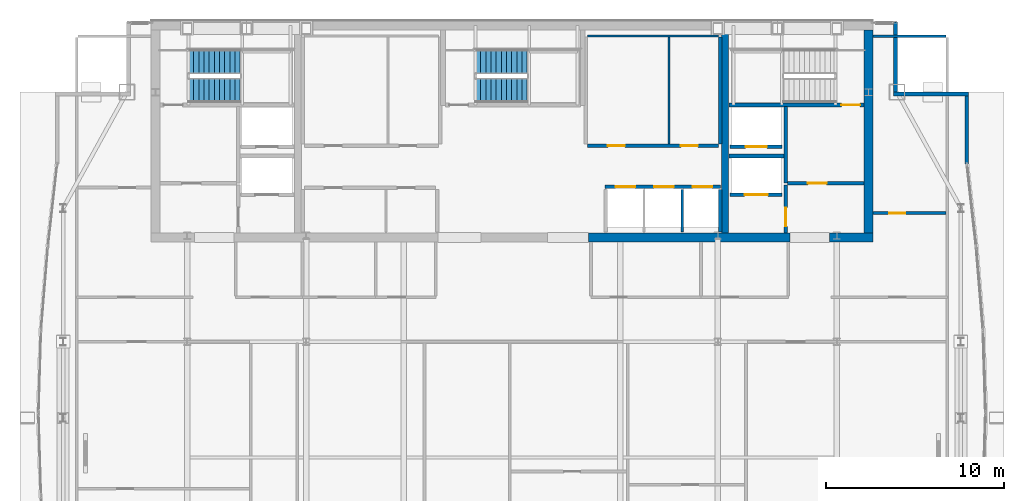
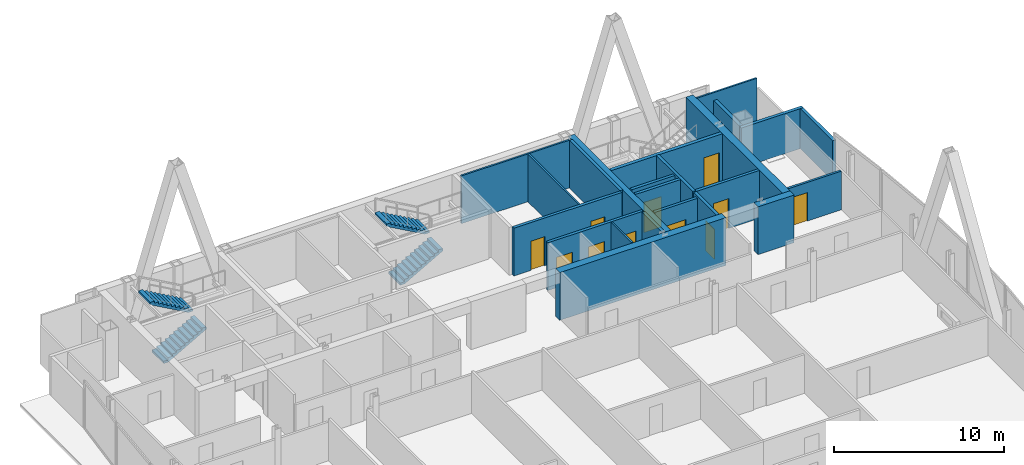
# One storey, part 25 of 28: 23 walls, 11 doors, 4 stair flights, 11 openings, 2 elements without a shape of their own.
"""IFC4 building model written with IfcOpenShell, lengths in metres."""

from ifc_helpers import new_model, si_unit, direction, frame, frame_2d, origin, place, context, subcontext, project, spatial, polyline, rectangle, outline, extrude, material, layer, layer_set, type_object, element, fill, aggregate, save


model = new_model("IFC4")

# Units and contexts
model_context = context("Model", 3, precision=1e-05, world=origin(), true_north=direction((0.0, 1.0)))
body_context = subcontext(model_context, "Body", "Model", "MODEL_VIEW")
ifc_project = project(units=[si_unit("LENGTHUNIT", "METRE"), si_unit("AREAUNIT", "SQUARE_METRE"), si_unit("VOLUMEUNIT", "CUBIC_METRE"), si_unit("PLANEANGLEUNIT", "RADIAN"), si_unit("MASSUNIT", "GRAM", prefix="KILO")], contexts=[model_context])

# Site, building, storey
site_placement = place(None, origin())
site = spatial("IfcSite", under=ifc_project, at=site_placement, CompositionType="ELEMENT")
building_placement = place(site_placement, origin())
building = spatial("IfcBuilding", under=site, at=building_placement, Name="Khoronbel Lancet Exchange", CompositionType="ELEMENT")
storey_placement = place(building_placement, frame((0.0, 0.0, 291.39990234375)))
storey = spatial("IfcBuildingStorey", under=building, at=storey_placement, Name="L75", CompositionType="ELEMENT", Elevation=291.39990234375)

# Walls
ifc_material_1 = material(Name="Concrete C60/75", Category="concrete")
ifc_layer_1 = layer(ifc_material_1, 0.5, Name="Concrete C60/75")
ifc_layer_set_1 = layer_set([ifc_layer_1], Name="Concrete C60/75")
wall_type_1 = type_object("IfcWallType", Name="WL-CW4", PredefinedType="SHEAR", material=ifc_layer_set_1)
wall_1_placement = place(storey_placement, frame((56.449951171875, 53.199951171875, 0.0), z_axis=(0.0, 0.0, 1.0), x_axis=(0.0, -1.0, 0.0)))
element("IfcWall", 1, at=wall_1_placement, inside=storey, type_object=wall_type_1, Name="Level L75 rear core east shear wall", PredefinedType="SHEAR", context=body_context, shape_type="SweptSolid", body=[
    extrude(rectangle(XDim=11.39990234375, YDim=0.5, at=frame_2d((5.699951171875, 0.0))), origin(), (0.0, 0.0, 1.0), 3.440185546875),
])
wall_2_placement = place(storey_placement, frame((52.050048828125, 41.550048828125, 0.0), z_axis=(0.0, 0.0, 1.0), x_axis=(-1.0, 0.0, 0.0)))
element("IfcWall", 2, at=wall_2_placement, inside=storey, type_object=wall_type_1, Name="Level L75 rear core south shear wall pier P4", PredefinedType="SHEAR", context=body_context, shape_type="SweptSolid", body=[
    extrude(rectangle(XDim=11.300048828125, YDim=0.5, at=frame_2d((5.64990234375, 0.0))), origin(), (0.0, 0.0, 1.0), 3.440185546875),
])
wall_3_placement = place(storey_placement, frame((56.699951171875, 41.550048828125, 0.0), z_axis=(0.0, 0.0, 1.0), x_axis=(-1.0, 0.0, 0.0)))
element("IfcWall", 3, at=wall_3_placement, inside=storey, type_object=wall_type_1, Name="Level L75 rear core south shear wall pier P5", PredefinedType="SHEAR", context=body_context, shape_type="SweptSolid", body=[
    extrude(rectangle(XDim=2.449951171875, YDim=0.5, at=frame_2d((1.22509765625, 0.0))), origin(), (0.0, 0.0, 1.0), 3.440185546875),
])
ifc_material_2 = material(Name="Precast concrete C40/50", Category="concrete")
ifc_layer_2 = layer(ifc_material_2, 0.25, Name="Precast concrete C40/50")
ifc_layer_set_2 = layer_set([ifc_layer_2], Name="Precast concrete C40/50")
wall_type_2 = type_object("IfcWallType", Name="WL-EXT250", PredefinedType="SOLIDWALL", material=ifc_layer_set_2)
wall_4_placement = place(storey_placement, frame((57.9599609375, 53.6298828125, 0.0), z_axis=(0.0, 0.0, 1.0), x_axis=(0.0, -1.0, 0.0)))
element("IfcWall", 4, at=wall_4_placement, inside=storey, type_object=wall_type_2, Name="Level L75 notched-corner limestone pier 14", PredefinedType="SOLIDWALL", context=body_context, shape_type="SweptSolid", body=[
    extrude(rectangle(XDim=3.909912109375, YDim=0.219970703125, at=frame_2d((1.955078125, 0.0))), origin(), (0.0, 0.0, 1.0), 2.880126953125),
])
wall_5_placement = place(storey_placement, frame((57.85009765625, 49.610107421875, 0.0), z_axis=(0.0, 0.0, 1.0), x_axis=(1.0, 0.0, 0.0)))
element("IfcWall", 5, at=wall_5_placement, inside=storey, type_object=wall_type_2, Name="Level L75 notched-corner limestone pier 15", PredefinedType="SOLIDWALL", context=body_context, shape_type="SweptSolid", body=[
    extrude(rectangle(XDim=4.219970703125, YDim=0.219970703125, at=frame_2d((2.10986328125, 0.0))), origin(), (0.0, 0.0, 1.0), 2.880126953125),
])
wall_6_placement = place(storey_placement, frame((61.9599609375, 49.5, 0.0), z_axis=(0.0, 0.0, 1.0), x_axis=(0.0, -1.0, 0.0)))
element("IfcWall", 6, at=wall_6_placement, inside=storey, type_object=wall_type_2, Name="Level L75 notched-corner limestone pier 16", PredefinedType="SOLIDWALL", context=body_context, shape_type="SweptSolid", body=[
    extrude(rectangle(XDim=3.824951171875, YDim=0.219970703125, at=frame_2d((1.91259765625, 0.0))), origin(), (0.0, 0.0, 1.0), 2.880126953125),
])

# Wall, opening, door
ifc_material_3 = material(Name="Acoustic Metal-Stud & Mineral-Wool Gypsum Partition 120 mm", Category="gypsum")
ifc_layer_3 = layer(ifc_material_3, 0.1201171875, Name="Acoustic Metal-Stud & Mineral-Wool Gypsum Partition 120 mm")
ifc_layer_set_3 = layer_set([ifc_layer_3], Name="Acoustic Metal-Stud & Mineral-Wool Gypsum Partition 120 mm")
wall_type_3 = type_object("IfcWallType", Name="WL-PRT120", PredefinedType="PARTITIONING", material=ifc_layer_set_3)
wall_7_placement = place(storey_placement, frame((56.699951171875, 42.919921875, 0.0), z_axis=(0.0, 0.0, 1.0), x_axis=(1.0, 0.0, 0.0)))
wall_7 = element("IfcWall", 7, at=wall_7_placement, inside=storey, type_object=wall_type_3, Name="Level L75 interior partition PW-NE-H", PredefinedType="PARTITIONING", context=body_context, shape_type="SweptSolid", body=[
    extrude(rectangle(XDim=4.10498046875, YDim=0.14990234375, at=frame_2d((2.052490234375, 0.0))), origin(), (0.0, 0.0, 1.0), 2.780029296875),
])
opening_1_placement = place(wall_7_placement, frame((0.89990234375, 0.0, 0.0)))
opening_1 = element("IfcOpeningElement", 8, at=opening_1_placement, cuts=wall_7, Name="Opening D5", PredefinedType="OPENING", context=body_context, shape_type="SweptSolid", body=[
    extrude(rectangle(XDim=0.89990234375, YDim=2.050048828125, at=frame_2d((0.449951171875, 1.02490234375))), frame((0.0, 0.0849609375, 0.0), z_axis=(0.0, -1.0, 0.0), x_axis=(1.0, 0.0, 0.0)), (0.0, 0.0, 1.0), 0.169921875),
])
ifc_material_4 = material(Name="Acoustic Timber Pantry & Support Door", Category="wood")
door_type_1 = type_object("IfcDoorType", Name="DR-D5", OperationType="NOTDEFINED", PredefinedType="DOOR", material=ifc_material_4)
door_1_placement = place(opening_1_placement, origin())
door_1 = element("IfcDoor", 9, at=door_1_placement, inside=storey, type_object=door_type_1, Name="NE north room door L75-1", OperationType="SINGLE_SWING_LEFT", OverallHeight=2.050048828125, OverallWidth=0.89990234375, PredefinedType="DOOR", context=body_context, shape_type="SweptSolid", body=[
    extrude(rectangle(XDim=0.89990234375, YDim=2.050048828125, at=frame_2d((0.449951171875, 1.02490234375))), frame((0.0, 0.02490234375, 0.0), z_axis=(0.0, -1.0, 0.0), x_axis=(1.0, 0.0, 0.0)), (0.0, 0.0, 1.0), 0.050048828125),
])
fill(opening_1, door_1)

# Walls
wall_8_placement = place(storey_placement, frame((56.699951171875, 52.840087890625, 0.0), z_axis=(0.0, 0.0, 1.0), x_axis=(1.0, 0.0, 0.0)))
element("IfcWall", 10, at=wall_8_placement, inside=storey, type_object=wall_type_3, Name="Level L75 interior partition PW-LIN-NE", PredefinedType="PARTITIONING", context=body_context, shape_type="SweptSolid", body=[
    extrude(rectangle(XDim=4.10498046875, YDim=0.1201171875, at=frame_2d((2.052490234375, 0.0))), origin(), (0.0, 0.0, 1.0), 3.440185546875),
])
ifc_material_5 = material(Name="Fire-Rated Metal-Stud & Mineral-Wool Gypsum Partition 120 mm", Category="gypsum")
ifc_layer_4 = layer(ifc_material_5, 0.1201171875, Name="Fire-Rated Metal-Stud & Mineral-Wool Gypsum Partition 120 mm")
ifc_layer_set_4 = layer_set([ifc_layer_4], Name="Fire-Rated Metal-Stud & Mineral-Wool Gypsum Partition 120 mm")
wall_type_4 = type_object("IfcWallType", Name="WL-PRT120F", PredefinedType="PARTITIONING", material=ifc_layer_set_4)
wall_9_placement = place(storey_placement, frame((40.68505859375, 52.860107421875, 0.0), z_axis=(0.0, 0.0, 1.0), x_axis=(1.0, 0.0, 0.0)))
element("IfcWall", 11, at=wall_9_placement, inside=storey, type_object=wall_type_4, Name="Level L75 interior partition CW-PH-RN", PredefinedType="PARTITIONING", context=body_context, shape_type="SweptSolid", body=[
    extrude(rectangle(XDim=7.349853515625, YDim=0.1201171875, at=frame_2d((3.6748046875, 0.0))), origin(), (0.0, 0.0, 1.0), 3.440185546875),
])
wall_10_placement = place(storey_placement, frame((45.26708984375, 46.804931640625, 0.0), z_axis=(0.0, 0.0, 1.0), x_axis=(0.0, 1.0, 0.0)))
element("IfcWall", 12, at=wall_10_placement, inside=storey, type_object=wall_type_4, Name="Level L75 interior partition CW-PH-RS2", PredefinedType="PARTITIONING", context=body_context, shape_type="SweptSolid", body=[
    extrude(rectangle(XDim=5.989990234375, YDim=0.1201171875, at=frame_2d((2.9951171875, 0.0))), origin(), (0.0, 0.0, 1.0), 3.440185546875),
])
wall_11_placement = place(storey_placement, frame((46.0, 41.85009765625, 0.0), z_axis=(0.0, 0.0, 1.0), x_axis=(0.0, 1.0, 0.0)))
element("IfcWall", 13, at=wall_11_placement, inside=storey, type_object=wall_type_4, Name="Level L75 interior partition CW-PX-D2", PredefinedType="PARTITIONING", context=body_context, shape_type="SweptSolid", body=[
    extrude(rectangle(XDim=2.39990234375, YDim=0.1201171875, at=frame_2d((1.199951171875, 0.0))), origin(), (0.0, 0.0, 1.0), 3.440185546875),
])

# Wall, openings, doors
ifc_material_6 = material(Name="Autoclaved Aerated Concrete Blockwork 200 mm", Category="masonry")
ifc_layer_5 = layer(ifc_material_6, 0.199951171875, Name="Autoclaved Aerated Concrete Blockwork 200 mm")
ifc_layer_set_5 = layer_set([ifc_layer_5], Name="Autoclaved Aerated Concrete Blockwork 200 mm")
wall_type_5 = type_object("IfcWallType", Name="WL-PRT200", PredefinedType="PARTITIONING", material=ifc_layer_set_5)
wall_12_placement = place(storey_placement, frame((41.679931640625, 44.39990234375, 0.0), z_axis=(0.0, 0.0, 1.0), x_axis=(1.0, 0.0, 0.0)))
wall_12 = element("IfcWall", 14, at=wall_12_placement, inside=storey, type_object=wall_type_5, Name="Level L75 elevator hoistway landing front wall PXE", PredefinedType="PARTITIONING", context=body_context, shape_type="SweptSolid", body=[
    extrude(rectangle(XDim=6.47998046875, YDim=0.199951171875, at=frame_2d((3.239990234375, 0.0))), origin(), (0.0, 0.0, 1.0), 3.440185546875),
])
opening_2_placement = place(wall_12_placement, frame((0.580078125, 0.0, 0.0)))
opening_2 = element("IfcOpeningElement", 15, at=opening_2_placement, cuts=wall_12, Name="Opening LD-PX1", PredefinedType="OPENING", context=body_context, shape_type="SweptSolid", body=[
    extrude(rectangle(XDim=1.10009765625, YDim=2.179931640625, at=frame_2d((0.550048828125, 1.08984375))), frame((0.0, 0.10986328125, 0.0), z_axis=(0.0, -1.0, 0.0), x_axis=(1.0, 0.0, 0.0)), (0.0, 0.0, 1.0), 0.219970703125),
])
opening_3_placement = place(wall_12_placement, frame((2.739990234375, 0.0, 0.0)))
opening_3 = element("IfcOpeningElement", 16, at=opening_3_placement, cuts=wall_12, Name="Opening LD-PX2", PredefinedType="OPENING", context=body_context, shape_type="SweptSolid", body=[
    extrude(rectangle(XDim=1.10009765625, YDim=2.179931640625, at=frame_2d((0.550048828125, 1.08984375))), frame((0.0, 0.10986328125, 0.0), z_axis=(0.0, -1.0, 0.0), x_axis=(1.0, 0.0, 0.0)), (0.0, 0.0, 1.0), 0.219970703125),
])
opening_4_placement = place(wall_12_placement, frame((4.89990234375, 0.0, 0.0)))
opening_4 = element("IfcOpeningElement", 17, at=opening_4_placement, cuts=wall_12, Name="Opening LD-PX3", PredefinedType="OPENING", context=body_context, shape_type="SweptSolid", body=[
    extrude(rectangle(XDim=1.10009765625, YDim=2.179931640625, at=frame_2d((0.550048828125, 1.08984375))), frame((0.0, 0.10986328125, 0.0), z_axis=(0.0, -1.0, 0.0), x_axis=(1.0, 0.0, 0.0)), (0.0, 0.0, 1.0), 0.219970703125),
])
ifc_material_7 = material(Name="Brushed Bronze Bi-Parting Elevator Landing Door", Category="steel")
door_type_2 = type_object("IfcDoorType", Name="DR-LD-PAX", OperationType="NOTDEFINED", PredefinedType="DOOR", material=ifc_material_7)
door_2_placement = place(opening_2_placement, origin())
door_2 = element("IfcDoor", 18, at=door_2_placement, inside=storey, type_object=door_type_2, Name="Elevator landing sliding door LD-PX1 L75", OperationType="SLIDING_TO_LEFT", OverallHeight=2.179931640625, OverallWidth=1.10009765625, PredefinedType="DOOR", context=body_context, shape_type="SweptSolid", body=[
    extrude(rectangle(XDim=1.10009765625, YDim=2.179931640625, at=frame_2d((0.550048828125, 1.08984375))), frame((0.0, 0.02490234375, 0.0), z_axis=(0.0, -1.0, 0.0), x_axis=(1.0, 0.0, 0.0)), (0.0, 0.0, 1.0), 0.050048828125),
])
fill(opening_2, door_2)
door_3_placement = place(opening_3_placement, origin())
door_3 = element("IfcDoor", 19, at=door_3_placement, inside=storey, type_object=door_type_2, Name="Elevator landing sliding door LD-PX2 L75", OperationType="SLIDING_TO_LEFT", OverallHeight=2.179931640625, OverallWidth=1.10009765625, PredefinedType="DOOR", context=body_context, shape_type="SweptSolid", body=[
    extrude(rectangle(XDim=1.10009765625, YDim=2.179931640625, at=frame_2d((0.550048828125, 1.08984375))), frame((0.0, 0.02490234375, 0.0), z_axis=(0.0, -1.0, 0.0), x_axis=(1.0, 0.0, 0.0)), (0.0, 0.0, 1.0), 0.050048828125),
])
fill(opening_3, door_3)
door_4_placement = place(opening_4_placement, origin())
door_4 = element("IfcDoor", 20, at=door_4_placement, inside=storey, type_object=door_type_2, Name="Elevator landing sliding door LD-PX3 L75", OperationType="SLIDING_TO_LEFT", OverallHeight=2.179931640625, OverallWidth=1.10009765625, PredefinedType="DOOR", context=body_context, shape_type="SweptSolid", body=[
    extrude(rectangle(XDim=1.10009765625, YDim=2.179931640625, at=frame_2d((0.550048828125, 1.08984375))), frame((0.0, 0.02490234375, 0.0), z_axis=(0.0, -1.0, 0.0), x_axis=(1.0, 0.0, 0.0)), (0.0, 0.0, 1.0), 0.050048828125),
])
fill(opening_4, door_4)

# Wall, opening, door
wall_13_placement = place(storey_placement, frame((51.610107421875, 43.949951171875, 0.0), z_axis=(0.0, 0.0, 1.0), x_axis=(-1.0, 0.0, 0.0)))
wall_13 = element("IfcWall", 21, at=wall_13_placement, inside=storey, type_object=wall_type_5, Name="Level L75 elevator hoistway landing front wall SVLE", PredefinedType="PARTITIONING", context=body_context, shape_type="SweptSolid", body=[
    extrude(rectangle(XDim=2.920166015625, YDim=0.199951171875, at=frame_2d((1.4599609375, 0.0))), origin(), (0.0, 0.0, 1.0), 3.440185546875),
])
opening_5_placement = place(wall_13_placement, frame((0.81005859375, 0.0, 0.0)))
opening_5 = element("IfcOpeningElement", 22, at=opening_5_placement, cuts=wall_13, Name="Opening LD-SVL2", PredefinedType="OPENING", context=body_context, shape_type="SweptSolid", body=[
    extrude(rectangle(XDim=1.300048828125, YDim=2.179931640625, at=frame_2d((0.64990234375, 1.08984375))), frame((0.0, 0.10986328125, 0.0), z_axis=(0.0, -1.0, 0.0), x_axis=(1.0, 0.0, 0.0)), (0.0, 0.0, 1.0), 0.219970703125),
])
ifc_material_8 = material(Name="Heavy-Duty Bi-Parting Goods Lift Landing Door", Category="steel")
door_type_3 = type_object("IfcDoorType", Name="DR-LD-SVL", OperationType="NOTDEFINED", PredefinedType="DOOR", material=ifc_material_8)
door_5_placement = place(opening_5_placement, origin())
door_5 = element("IfcDoor", 23, at=door_5_placement, inside=storey, type_object=door_type_3, Name="Elevator landing sliding door LD-SVL2 L75", OperationType="SLIDING_TO_LEFT", OverallHeight=2.179931640625, OverallWidth=1.300048828125, PredefinedType="DOOR", context=body_context, shape_type="SweptSolid", body=[
    extrude(rectangle(XDim=1.300048828125, YDim=2.179931640625, at=frame_2d((0.64990234375, 1.08984375))), frame((0.0, 0.02490234375, 0.0), z_axis=(0.0, -1.0, 0.0), x_axis=(1.0, 0.0, 0.0)), (0.0, 0.0, 1.0), 0.050048828125),
])
fill(opening_5, door_5)

wall_14_placement = place(storey_placement, frame((51.610107421875, 46.64990234375, 0.0), z_axis=(0.0, 0.0, 1.0), x_axis=(-1.0, 0.0, 0.0)))
wall_14 = element("IfcWall", 24, at=wall_14_placement, inside=storey, type_object=wall_type_5, Name="Level L75 elevator hoistway landing front wall FFLE", PredefinedType="PARTITIONING", context=body_context, shape_type="SweptSolid", body=[
    extrude(rectangle(XDim=2.920166015625, YDim=0.199951171875, at=frame_2d((1.4599609375, 0.0))), origin(), (0.0, 0.0, 1.0), 3.440185546875),
])
opening_6_placement = place(wall_14_placement, frame((0.860107421875, 0.0, 0.0)))
opening_6 = element("IfcOpeningElement", 25, at=opening_6_placement, cuts=wall_14, Name="Opening LD-FFL2", PredefinedType="OPENING", context=body_context, shape_type="SweptSolid", body=[
    extrude(rectangle(XDim=1.199951171875, YDim=2.179931640625, at=frame_2d((0.60009765625, 1.08984375))), frame((0.0, 0.10986328125, 0.0), z_axis=(0.0, -1.0, 0.0), x_axis=(1.0, 0.0, 0.0)), (0.0, 0.0, 1.0), 0.219970703125),
])
ifc_material_9 = material(Name="Fire-Rated Stainless Bi-Parting Firefighting Lift Door", Category="steel")
door_type_4 = type_object("IfcDoorType", Name="DR-LD-FFL", OperationType="NOTDEFINED", PredefinedType="DOOR", material=ifc_material_9)
door_6_placement = place(opening_6_placement, origin())
door_6 = element("IfcDoor", 26, at=door_6_placement, inside=storey, type_object=door_type_4, Name="Elevator landing sliding door LD-FFL2 L75", OperationType="SLIDING_TO_LEFT", OverallHeight=2.179931640625, OverallWidth=1.199951171875, PredefinedType="DOOR", context=body_context, shape_type="SweptSolid", body=[
    extrude(rectangle(XDim=1.199951171875, YDim=2.179931640625, at=frame_2d((0.60009765625, 1.08984375))), frame((0.0, 0.02490234375, 0.0), z_axis=(0.0, -1.0, 0.0), x_axis=(1.0, 0.0, 0.0)), (0.0, 0.0, 1.0), 0.050048828125),
])
fill(opening_6, door_6)

# Wall
wall_15_placement = place(storey_placement, frame((51.800048828125, 44.60009765625, 0.0), z_axis=(0.0, 0.0, 1.0), x_axis=(0.0, 1.0, 0.0)))
element("IfcWall", 27, at=wall_15_placement, inside=storey, type_object=wall_type_5, Name="Level L75 interior partition CW-FFLE-W", PredefinedType="PARTITIONING", context=body_context, shape_type="SweptSolid", body=[
    extrude(rectangle(XDim=4.2998046875, YDim=0.199951171875, at=frame_2d((2.14990234375, 0.0))), origin(), (0.0, 0.0, 1.0), 3.440185546875),
])

# Wall, opening, door
wall_16_placement = place(storey_placement, frame((51.89990234375, 44.60009765625, 0.0), z_axis=(0.0, 0.0, 1.0), x_axis=(1.0, 0.0, 0.0)))
wall_16 = element("IfcWall", 28, at=wall_16_placement, inside=storey, type_object=wall_type_5, Name="Level L75 interior partition CW-FFLE-S", PredefinedType="PARTITIONING", context=body_context, shape_type="SweptSolid", body=[
    extrude(rectangle(XDim=4.300048828125, YDim=0.199951171875, at=frame_2d((2.14990234375, 0.0))), origin(), (0.0, 0.0, 1.0), 3.440185546875),
])
opening_7_placement = place(wall_16_placement, frame((1.14990234375, 0.0, 0.0)))
opening_7 = element("IfcOpeningElement", 29, at=opening_7_placement, cuts=wall_16, Name="Opening FD1", PredefinedType="OPENING", context=body_context, shape_type="SweptSolid", body=[
    extrude(rectangle(XDim=1.050048828125, YDim=2.14990234375, at=frame_2d((0.52490234375, 1.074951171875))), frame((0.0, 0.10986328125, 0.0), z_axis=(0.0, -1.0, 0.0), x_axis=(1.0, 0.0, 0.0)), (0.0, 0.0, 1.0), 0.219970703125),
])
ifc_material_10 = material(Name="Fire-Rated Painted Steel Door Assembly", Category="steel")
door_type_5 = type_object("IfcDoorType", Name="DR-FD1", OperationType="NOTDEFINED", PredefinedType="DOOR", material=ifc_material_10)
door_7_placement = place(opening_7_placement, origin())
door_7 = element("IfcDoor", 30, at=door_7_placement, inside=storey, type_object=door_type_5, Name="East firefighting lobby FD90S door L75-1", OperationType="SINGLE_SWING_LEFT", OverallHeight=2.14990234375, OverallWidth=1.050048828125, PredefinedType="DOOR", context=body_context, shape_type="SweptSolid", body=[
    extrude(rectangle(XDim=1.050048828125, YDim=2.14990234375, at=frame_2d((0.52490234375, 1.074951171875))), frame((0.0, 0.02490234375, 0.0), z_axis=(0.0, -1.0, 0.0), x_axis=(1.0, 0.0, 0.0)), (0.0, 0.0, 1.0), 0.050048828125),
])
fill(opening_7, door_7)

# Wall
wall_17_placement = place(storey_placement, frame((48.6298828125, 46.1201171875, 0.0), z_axis=(0.0, 0.0, 1.0), x_axis=(1.0, 0.0, 0.0)))
element("IfcWall", 31, at=wall_17_placement, inside=storey, type_object=wall_type_5, Name="Level L75 interior partition CW-FFL2-S", PredefinedType="PARTITIONING", context=body_context, shape_type="SweptSolid", body=[
    extrude(rectangle(XDim=3.070068359375, YDim=0.199951171875, at=frame_2d((1.53515625, 0.0))), origin(), (0.0, 0.0, 1.0), 3.440185546875),
])

# Wall, opening, door
wall_18_placement = place(storey_placement, frame((51.800048828125, 41.800048828125, 0.0), z_axis=(0.0, 0.0, 1.0), x_axis=(0.0, 1.0, 0.0)))
wall_18 = element("IfcWall", 32, at=wall_18_placement, inside=storey, type_object=wall_type_5, Name="Level L75 interior partition CW-SVLE-E", PredefinedType="PARTITIONING", context=body_context, shape_type="SweptSolid", body=[
    extrude(rectangle(XDim=2.695068359375, YDim=0.199951171875, at=frame_2d((1.34765625, 0.0))), origin(), (0.0, 0.0, 1.0), 3.440185546875),
])
opening_8_placement = place(wall_18_placement, frame((0.3798828125, 0.0, 0.0)))
opening_8 = element("IfcOpeningElement", 33, at=opening_8_placement, cuts=wall_18, Name="Opening FD1", PredefinedType="OPENING", context=body_context, shape_type="SweptSolid", body=[
    extrude(rectangle(XDim=1.050048828125, YDim=2.14990234375, at=frame_2d((0.52490234375, 1.074951171875))), frame((0.0, 0.10986328125, 0.0), z_axis=(0.0, -1.0, 0.0), x_axis=(1.0, 0.0, 0.0)), (0.0, 0.0, 1.0), 0.219970703125),
])
door_8_placement = place(opening_8_placement, origin())
door_8 = element("IfcDoor", 34, at=door_8_placement, inside=storey, type_object=door_type_5, Name="East service lift lobby door L75-1", OperationType="SINGLE_SWING_RIGHT", OverallHeight=2.14990234375, OverallWidth=1.050048828125, PredefinedType="DOOR", context=body_context, shape_type="SweptSolid", body=[
    extrude(rectangle(XDim=1.050048828125, YDim=2.14990234375, at=frame_2d((0.52490234375, 1.074951171875))), frame((0.0, 0.02490234375, 0.0), z_axis=(0.0, -1.0, 0.0), x_axis=(1.0, 0.0, 0.0)), (0.0, 0.0, 1.0), 0.050048828125),
])
fill(opening_8, door_8)

# Wall
wall_19_placement = place(storey_placement, frame((48.139892578125, 46.804931640625, 0.0), z_axis=(0.0, 0.0, 1.0), x_axis=(0.0, 1.0, 0.0)))
element("IfcWall", 35, at=wall_19_placement, inside=storey, type_object=wall_type_5, Name="Level L75 interior partition CW-PH-RE", PredefinedType="PARTITIONING", context=body_context, shape_type="SweptSolid", body=[
    extrude(rectangle(XDim=5.989990234375, YDim=0.199951171875, at=frame_2d((2.9951171875, 0.0))), origin(), (0.0, 0.0, 1.0), 3.440185546875),
])

# Wall, openings, doors
wall_20_placement = place(storey_placement, frame((40.68505859375, 46.699951171875, 0.0), z_axis=(0.0, 0.0, 1.0), x_axis=(1.0, 0.0, 0.0)))
wall_20 = element("IfcWall", 36, at=wall_20_placement, inside=storey, type_object=wall_type_5, Name="Level L75 interior partition CW-PH-RF", PredefinedType="PARTITIONING", context=body_context, shape_type="SweptSolid", body=[
    extrude(rectangle(XDim=7.349853515625, YDim=0.199951171875, at=frame_2d((3.6748046875, 0.0))), origin(), (0.0, 0.0, 1.0), 3.440185546875),
])
opening_9_placement = place(wall_20_placement, frame((1.14990234375, 0.0, 0.0)))
opening_9 = element("IfcOpeningElement", 37, at=opening_9_placement, cuts=wall_20, Name="Opening FD3", PredefinedType="OPENING", context=body_context, shape_type="SweptSolid", body=[
    extrude(rectangle(XDim=0.949951171875, YDim=2.10009765625, at=frame_2d((0.47509765625, 1.050048828125))), frame((0.0, 0.10986328125, 0.0), z_axis=(0.0, -1.0, 0.0), x_axis=(1.0, 0.0, 0.0)), (0.0, 0.0, 1.0), 0.219970703125),
])
opening_10_placement = place(wall_20_placement, frame((5.2373046875, 0.0, 0.0)))
opening_10 = element("IfcOpeningElement", 38, at=opening_10_placement, cuts=wall_20, Name="Opening FD3", PredefinedType="OPENING", context=body_context, shape_type="SweptSolid", body=[
    extrude(rectangle(XDim=0.949951171875, YDim=2.10009765625, at=frame_2d((0.47509765625, 1.050048828125))), frame((0.0, 0.10986328125, 0.0), z_axis=(0.0, -1.0, 0.0), x_axis=(1.0, 0.0, 0.0)), (0.0, 0.0, 1.0), 0.219970703125),
])
ifc_material_11 = material(Name="Fire-Rated Steel Plant & Riser Door Assembly", Category="steel")
door_type_6 = type_object("IfcDoorType", Name="DR-FD3", OperationType="NOTDEFINED", PredefinedType="DOOR", material=ifc_material_11)
door_9_placement = place(opening_9_placement, origin())
door_9 = element("IfcDoor", 39, at=door_9_placement, inside=storey, type_object=door_type_6, Name="Reclaimed PH C door L75-1", OperationType="SINGLE_SWING_LEFT", OverallHeight=2.10009765625, OverallWidth=0.949951171875, PredefinedType="DOOR", context=body_context, shape_type="SweptSolid", body=[
    extrude(rectangle(XDim=0.949951171875, YDim=2.10009765625, at=frame_2d((0.47509765625, 1.050048828125))), frame((0.0, 0.02490234375, 0.0), z_axis=(0.0, -1.0, 0.0), x_axis=(1.0, 0.0, 0.0)), (0.0, 0.0, 1.0), 0.050048828125),
])
fill(opening_9, door_9)
door_10_placement = place(opening_10_placement, origin())
door_10 = element("IfcDoor", 40, at=door_10_placement, inside=storey, type_object=door_type_6, Name="Reclaimed PH D door L75-2", OperationType="SINGLE_SWING_RIGHT", OverallHeight=2.10009765625, OverallWidth=0.949951171875, PredefinedType="DOOR", context=body_context, shape_type="SweptSolid", body=[
    extrude(rectangle(XDim=0.949951171875, YDim=2.10009765625, at=frame_2d((0.47509765625, 1.050048828125))), frame((0.0, 0.02490234375, 0.0), z_axis=(0.0, -1.0, 0.0), x_axis=(1.0, 0.0, 0.0)), (0.0, 0.0, 1.0), 0.050048828125),
])
fill(opening_10, door_10)

# Walls
wall_21_placement = place(storey_placement, frame((48.139892578125, 41.85009765625, 0.0), z_axis=(0.0, 0.0, 1.0), x_axis=(0.0, 1.0, 0.0)))
element("IfcWall", 41, at=wall_21_placement, inside=storey, type_object=wall_type_5, Name="Level L75 interior partition CW-PX-E", PredefinedType="PARTITIONING", context=body_context, shape_type="SweptSolid", body=[
    extrude(rectangle(XDim=2.39990234375, YDim=0.199951171875, at=frame_2d((1.199951171875, 0.0))), origin(), (0.0, 0.0, 1.0), 3.440185546875),
])
ifc_layer_6 = layer(ifc_material_1, 0.39990234375, Name="Concrete C60/75")
ifc_layer_set_6 = layer_set([ifc_layer_6], Name="Concrete C60/75")
wall_type_6 = type_object("IfcWallType", Name="WL-SW2", PredefinedType="SHEAR", material=ifc_layer_set_6)
wall_22_placement = place(storey_placement, frame((48.39990234375, 41.800048828125, 0.0), z_axis=(0.0, 0.0, 1.0), x_axis=(0.0, 1.0, 0.0)))
element("IfcWall", 42, at=wall_22_placement, inside=storey, type_object=wall_type_6, Name="Level L75 rear core internal spine shear wall IE", PredefinedType="SHEAR", context=body_context, shape_type="SweptSolid", body=[
    extrude(rectangle(XDim=11.39990234375, YDim=0.39990234375, at=frame_2d((5.699951171875, 0.0))), origin(), (0.0, 0.0, 1.0), 3.440185546875),
])

# Wall, opening, door
ifc_layer_7 = layer(ifc_material_1, 0.260009765625, Name="Concrete C60/75")
ifc_layer_set_7 = layer_set([ifc_layer_7], Name="Concrete C60/75")
wall_type_7 = type_object("IfcWallType", Name="WL-SW3", PredefinedType="SHEAR", material=ifc_layer_set_7)
wall_23_placement = place(storey_placement, frame((48.6298828125, 48.97998046875, 0.0), z_axis=(0.0, 0.0, 1.0), x_axis=(1.0, 0.0, 0.0)))
wall_23 = element("IfcWall", 43, at=wall_23_placement, inside=storey, type_object=wall_type_7, Name="Level L75 east stairwell structural south wall", PredefinedType="SHEAR", context=body_context, shape_type="SweptSolid", body=[
    extrude(rectangle(XDim=7.570068359375, YDim=0.239990234375, at=frame_2d((3.78515625, 0.0))), origin(), (0.0, 0.0, 1.0), 3.440185546875),
])
opening_11_placement = place(wall_23_placement, frame((6.300048828125, 0.0, 0.0)))
opening_11 = element("IfcOpeningElement", 44, at=opening_11_placement, cuts=wall_23, Name="Opening SD1", PredefinedType="OPENING", context=body_context, shape_type="SweptSolid", body=[
    extrude(rectangle(XDim=1.050048828125, YDim=2.14990234375, at=frame_2d((0.52490234375, 1.074951171875))), frame((0.0, 0.1298828125, 0.0), z_axis=(0.0, -1.0, 0.0), x_axis=(1.0, 0.0, 0.0)), (0.0, 0.0, 1.0), 0.260009765625),
])
ifc_material_12 = material(Name="Fire-Rated Steel Stairwell Door Assembly", Category="steel")
door_type_7 = type_object("IfcDoorType", Name="DR-SD1", OperationType="NOTDEFINED", PredefinedType="DOOR", material=ifc_material_12)
door_11_placement = place(opening_11_placement, origin())
door_11 = element("IfcDoor", 45, at=door_11_placement, inside=storey, type_object=door_type_7, Name="Protected exit stair ST2 door L75", OperationType="SINGLE_SWING_RIGHT", OverallHeight=2.14990234375, OverallWidth=1.050048828125, PredefinedType="DOOR", context=body_context, shape_type="SweptSolid", body=[
    extrude(rectangle(XDim=1.050048828125, YDim=2.14990234375, at=frame_2d((0.52490234375, 1.074951171875))), frame((0.0, 0.02490234375, 0.0), z_axis=(0.0, -1.0, 0.0), x_axis=(1.0, 0.0, 0.0)), (0.0, 0.0, 1.0), 0.050048828125),
])
fill(opening_11, door_11)

# Stair, stair flights
ifc_material_13 = material(Name="Concrete C40/50", Category="concrete")
stair_type = type_object("IfcStairType", Name="STR-CORE150", PredefinedType="HALF_TURN_STAIR", material=ifc_material_13)
stair_1_placement = place(storey_placement, origin())
stair_1 = element("IfcStair", 46, at=stair_1_placement, inside=storey, type_object=stair_type, Name="L75 Protected Exit Stair ST1", PredefinedType="HALF_TURN_STAIR")
stair_flight_type = type_object("IfcStairFlightType", Name="STF-150", PredefinedType="STRAIGHT", material=ifc_material_13)
stair_flight_1_placement = place(storey_placement, frame((18.300048828125, 49.81005859375, 0.0), z_axis=(0.0, 0.0, 1.0), x_axis=(1.0, 0.0, 0.0)))
stair_flight_1 = element("IfcStairFlight", 47, at=stair_flight_1_placement, type_object=stair_flight_type, Name="ST1 flight 1", NumberOfRisers=11, NumberOfTreads=10, PredefinedType="STRAIGHT", RiserHeight=0.163636364, TreadLength=0.29, context=body_context, shape_type="SweptSolid", body=[
    extrude(outline(polyline([(0.0, 0.0), (0.0, 0.16357421875), (0.2900390625, 0.16357421875), (0.2900390625, 0.327392578125), (0.580078125, 0.327392578125), (0.580078125, 0.490966796875), (0.8701171875, 0.490966796875), (0.8701171875, 0.654541015625), (1.159912109375, 0.654541015625), (1.159912109375, 0.818115234375), (1.449951171875, 0.818115234375), (1.449951171875, 0.98193359375), (1.739990234375, 0.98193359375), (1.739990234375, 1.1455078125), (2.030029296875, 1.1455078125), (2.030029296875, 1.30908203125), (2.320068359375, 1.30908203125), (2.320068359375, 1.47265625), (2.610107421875, 1.47265625), (2.610107421875, 1.636474609375), (2.89990234375, 1.636474609375), (2.89990234375, 1.800048828125), (2.89990234375, 1.46435546875), (0.304931640625, 0.0), (0.0, 0.0)])), frame((0.0, 0.68994140625, 0.0), z_axis=(0.0, -1.0, 0.0), x_axis=(1.0, 0.0, 0.0)), (0.0, 0.0, 1.0), 1.3798828125),
])
stair_flight_2_placement = place(storey_placement, frame((21.199951171875, 51.409912109375, 1.800048828125), z_axis=(0.0, 0.0, 1.0), x_axis=(-1.0, 0.0, 0.0)))
stair_flight_2 = element("IfcStairFlight", 48, at=stair_flight_2_placement, type_object=stair_flight_type, Name="ST1 flight 2", NumberOfRisers=11, NumberOfTreads=10, PredefinedType="STRAIGHT", RiserHeight=0.163636364, TreadLength=0.29, context=body_context, shape_type="SweptSolid", body=[
    extrude(outline(polyline([(0.0, 0.0), (0.0, 0.16357421875), (0.2900390625, 0.16357421875), (0.2900390625, 0.327392578125), (0.580078125, 0.327392578125), (0.580078125, 0.490966796875), (0.8701171875, 0.490966796875), (0.8701171875, 0.654541015625), (1.159912109375, 0.654541015625), (1.159912109375, 0.818115234375), (1.449951171875, 0.818115234375), (1.449951171875, 0.98193359375), (1.739990234375, 0.98193359375), (1.739990234375, 1.1455078125), (2.030029296875, 1.1455078125), (2.030029296875, 1.30908203125), (2.320068359375, 1.30908203125), (2.320068359375, 1.47265625), (2.610107421875, 1.47265625), (2.610107421875, 1.636474609375), (2.89990234375, 1.636474609375), (2.89990234375, 1.800048828125), (2.89990234375, 1.46435546875), (0.304931640625, 0.0), (0.0, 0.0)])), frame((0.0, 0.68994140625, 0.0), z_axis=(0.0, -1.0, 0.0), x_axis=(1.0, 0.0, 0.0)), (0.0, 0.0, 1.0), 1.3798828125),
])
aggregate(stair_1, [stair_flight_1, stair_flight_2])

stair_2_placement = place(storey_placement, origin())
stair_2 = element("IfcStair", 49, at=stair_2_placement, inside=storey, type_object=stair_type, Name="L75 Protected Exit Stair ST3", PredefinedType="HALF_TURN_STAIR")
stair_flight_3_placement = place(storey_placement, frame((34.39990234375, 49.81005859375, 0.0), z_axis=(0.0, 0.0, 1.0), x_axis=(1.0, 0.0, 0.0)))
stair_flight_3 = element("IfcStairFlight", 50, at=stair_flight_3_placement, type_object=stair_flight_type, Name="ST3 flight 1", NumberOfRisers=11, NumberOfTreads=10, PredefinedType="STRAIGHT", RiserHeight=0.163636364, TreadLength=0.29, context=body_context, shape_type="SweptSolid", body=[
    extrude(outline(polyline([(0.0, 0.0), (0.0, 0.16357421875), (0.2900390625, 0.16357421875), (0.2900390625, 0.327392578125), (0.580078125, 0.327392578125), (0.580078125, 0.490966796875), (0.8701171875, 0.490966796875), (0.8701171875, 0.654541015625), (1.159912109375, 0.654541015625), (1.159912109375, 0.818115234375), (1.449951171875, 0.818115234375), (1.449951171875, 0.98193359375), (1.739990234375, 0.98193359375), (1.739990234375, 1.1455078125), (2.030029296875, 1.1455078125), (2.030029296875, 1.30908203125), (2.320068359375, 1.30908203125), (2.320068359375, 1.47265625), (2.610107421875, 1.47265625), (2.610107421875, 1.636474609375), (2.89990234375, 1.636474609375), (2.89990234375, 1.800048828125), (2.89990234375, 1.46435546875), (0.304931640625, 0.0), (0.0, 0.0)])), frame((0.0, 0.68994140625, 0.0), z_axis=(0.0, -1.0, 0.0), x_axis=(1.0, 0.0, 0.0)), (0.0, 0.0, 1.0), 1.3798828125),
])
stair_flight_4_placement = place(storey_placement, frame((37.300048828125, 51.409912109375, 1.800048828125), z_axis=(0.0, 0.0, 1.0), x_axis=(-1.0, 0.0, 0.0)))
stair_flight_4 = element("IfcStairFlight", 51, at=stair_flight_4_placement, type_object=stair_flight_type, Name="ST3 flight 2", NumberOfRisers=11, NumberOfTreads=10, PredefinedType="STRAIGHT", RiserHeight=0.163636364, TreadLength=0.29, context=body_context, shape_type="SweptSolid", body=[
    extrude(outline(polyline([(0.0, 0.0), (0.0, 0.16357421875), (0.2900390625, 0.16357421875), (0.2900390625, 0.327392578125), (0.580078125, 0.327392578125), (0.580078125, 0.490966796875), (0.8701171875, 0.490966796875), (0.8701171875, 0.654541015625), (1.159912109375, 0.654541015625), (1.159912109375, 0.818115234375), (1.449951171875, 0.818115234375), (1.449951171875, 0.98193359375), (1.739990234375, 0.98193359375), (1.739990234375, 1.1455078125), (2.030029296875, 1.1455078125), (2.030029296875, 1.30908203125), (2.320068359375, 1.30908203125), (2.320068359375, 1.47265625), (2.610107421875, 1.47265625), (2.610107421875, 1.636474609375), (2.89990234375, 1.636474609375), (2.89990234375, 1.800048828125), (2.89990234375, 1.46435546875), (0.304931640625, 0.0), (0.0, 0.0)])), frame((0.0, 0.68994140625, 0.0), z_axis=(0.0, -1.0, 0.0), x_axis=(1.0, 0.0, 0.0)), (0.0, 0.0, 1.0), 1.3798828125),
])
aggregate(stair_2, [stair_flight_3, stair_flight_4])

save(model, "model.ifc")
